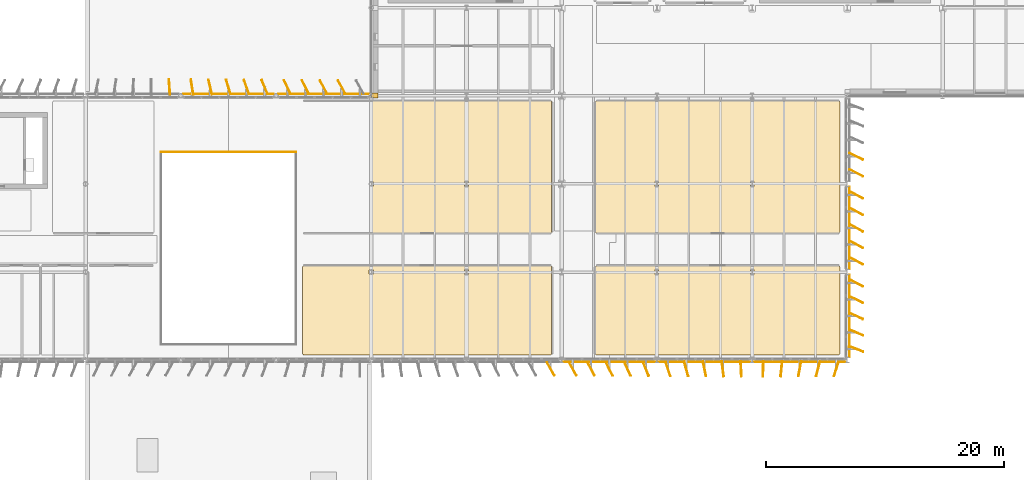
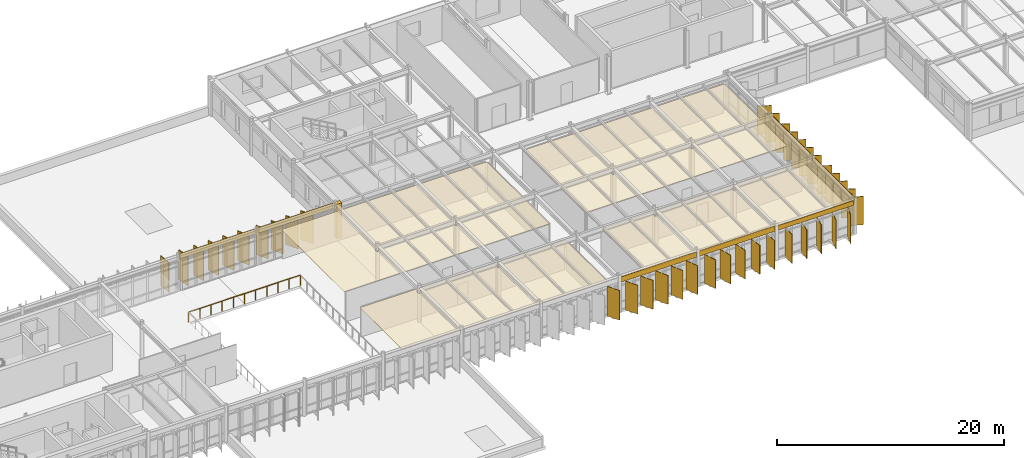
# One storey, part 51 of 56: 50 coverings, 1 railing.
"""IFC4 building model written with IfcOpenShell, lengths in metres."""

from ifc_helpers import new_model, si_unit, direction, frame, frame_2d, origin, origin_2d, place, context, subcontext, project, spatial, polyline, rectangle, circle, outline, extrude, material, layer, layer_set, type_object, element, save


model = new_model("IFC4")

# Units and contexts
model_context = context("Model", 3, precision=1e-05, world=origin(), true_north=direction((0.0, 1.0)))
body_context = subcontext(model_context, "Body", "Model", "MODEL_VIEW")
ifc_project = project(units=[si_unit("LENGTHUNIT", "METRE"), si_unit("AREAUNIT", "SQUARE_METRE"), si_unit("VOLUMEUNIT", "CUBIC_METRE"), si_unit("PLANEANGLEUNIT", "RADIAN"), si_unit("MASSUNIT", "GRAM", prefix="KILO")], contexts=[model_context])

# Site, building, storey
site_placement = place(None, origin())
site = spatial("IfcSite", under=ifc_project, at=site_placement, CompositionType="ELEMENT")
building_placement = place(site_placement, origin())
building = spatial("IfcBuilding", under=site, at=building_placement, Name="Valkorina Park Police Headquarters", CompositionType="ELEMENT")
storey_placement = place(building_placement, frame((0.0, 0.0, 14.10009765625)))
storey = spatial("IfcBuildingStorey", under=building, at=storey_placement, Name="L04", CompositionType="ELEMENT", Elevation=14.10009765625)

# Coverings
ifc_material_1 = material(Name="Acoustic mineral board")
ifc_layer_1 = layer(ifc_material_1, 0.02490234375)
ifc_layer_set_1 = layer_set([ifc_layer_1], Name="Acoustic mineral board")
covering_type_1 = type_object("IfcCoveringType", Name="COV-CEILING-ACOUST", PredefinedType="CEILING", material=ifc_layer_set_1)
covering_1_placement = place(storey_placement, frame((0.0, 0.0, 3.179931640625)))
element("IfcCovering", 1, at=covering_1_placement, inside=storey, type_object=covering_type_1, Name="East Bridge Analytical Investigation Suite Acoustic Suspended Ceiling", PredefinedType="CEILING", context=body_context, shape_type="SweptSolid", body=[
    extrude(outline(polyline([(95.95849609375, 37.50439453125), (95.959716796875, 37.51220703125), (95.9599609375, 37.52001953125), (95.9599609375, 44.830078125), (95.959716796875, 44.837890625), (95.95849609375, 44.845703125), (95.95654296875, 44.853271484375), (95.953857421875, 44.860595703125), (95.95068359375, 44.86767578125), (95.946533203125, 44.87451171875), (95.94189453125, 44.880859375), (95.9365234375, 44.88671875), (95.930908203125, 44.891845703125), (95.92431640625, 44.896484375), (95.917724609375, 44.900634765625), (95.91064453125, 44.90380859375), (95.9033203125, 44.906494140625), (95.8955078125, 44.908447265625), (95.8876953125, 44.90966796875), (95.8798828125, 44.909912109375), (75.1201171875, 44.909912109375), (75.1123046875, 44.90966796875), (75.1044921875, 44.908447265625), (75.0966796875, 44.906494140625), (75.08935546875, 44.90380859375), (75.082275390625, 44.900634765625), (75.07568359375, 44.896484375), (75.069091796875, 44.891845703125), (75.0634765625, 44.88671875), (75.05810546875, 44.880859375), (75.053466796875, 44.87451171875), (75.04931640625, 44.86767578125), (75.046142578125, 44.860595703125), (75.04345703125, 44.853271484375), (75.04150390625, 44.845703125), (75.040283203125, 44.837890625), (75.0400390625, 44.830078125), (75.0400390625, 37.52001953125), (75.040283203125, 37.51220703125), (75.04150390625, 37.50439453125), (75.04345703125, 37.496826171875), (75.046142578125, 37.489501953125), (75.04931640625, 37.482421875), (75.053466796875, 37.4755859375), (75.05810546875, 37.46923828125), (75.0634765625, 37.46337890625), (75.069091796875, 37.458251953125), (75.07568359375, 37.45361328125), (75.082275390625, 37.449462890625), (75.08935546875, 37.446044921875), (75.0966796875, 37.443359375), (75.1044921875, 37.44140625), (75.1123046875, 37.4404296875), (75.1201171875, 37.43994140625), (95.8798828125, 37.43994140625), (95.8876953125, 37.4404296875), (95.8955078125, 37.44140625), (95.9033203125, 37.443359375), (95.91064453125, 37.446044921875), (95.917724609375, 37.449462890625), (95.92431640625, 37.45361328125), (95.930908203125, 37.458251953125), (95.9365234375, 37.46337890625), (95.94189453125, 37.46923828125), (95.946533203125, 37.4755859375), (95.95068359375, 37.482421875), (95.953857421875, 37.489501953125), (95.95654296875, 37.496826171875), (95.95849609375, 37.50439453125)]), holes=[polyline([(88.64990234375, 44.625), (88.949951171875, 44.625), (88.949951171875, 44.175048828125), (88.64990234375, 44.175048828125), (88.64990234375, 44.625)]), polyline([(80.977783203125, 44.577880859375), (80.977783203125, 44.22216796875), (80.622314453125, 44.22216796875), (80.622314453125, 44.577880859375), (80.977783203125, 44.577880859375)])]), origin(), (0.0, 0.0, 1.0), 0.02490234375),
])
covering_2_placement = place(storey_placement, frame((0.0, 0.0, 3.179931640625)))
element("IfcCovering", 2, at=covering_2_placement, inside=storey, type_object=covering_type_1, Name="Missing Persons Taskforce Office Acoustic Suspended Ceiling", PredefinedType="CEILING", context=body_context, shape_type="SweptSolid", body=[
    extrude(outline(polyline([(95.95849609375, 47.75439453125), (95.959716796875, 47.76220703125), (95.9599609375, 47.77001953125), (95.9599609375, 58.679931640625), (95.959716796875, 58.687744140625), (95.95849609375, 58.695556640625), (95.95654296875, 58.703125), (95.953857421875, 58.710693359375), (95.95068359375, 58.7177734375), (95.946533203125, 58.724365234375), (95.94189453125, 58.730712890625), (95.9365234375, 58.736572265625), (95.930908203125, 58.74169921875), (95.92431640625, 58.74658203125), (95.917724609375, 58.75048828125), (95.91064453125, 58.75390625), (95.9033203125, 58.756591796875), (95.8955078125, 58.758544921875), (95.8876953125, 58.759521484375), (95.8798828125, 58.760009765625), (75.1201171875, 58.760009765625), (75.1123046875, 58.759521484375), (75.1044921875, 58.758544921875), (75.0966796875, 58.756591796875), (75.08935546875, 58.75390625), (75.082275390625, 58.75048828125), (75.07568359375, 58.74658203125), (75.069091796875, 58.74169921875), (75.0634765625, 58.736572265625), (75.05810546875, 58.730712890625), (75.053466796875, 58.724365234375), (75.04931640625, 58.7177734375), (75.046142578125, 58.710693359375), (75.04345703125, 58.703125), (75.04150390625, 58.695556640625), (75.040283203125, 58.687744140625), (75.0400390625, 58.679931640625), (75.0400390625, 47.77001953125), (75.040283203125, 47.76220703125), (75.04150390625, 47.75439453125), (75.04345703125, 47.746826171875), (75.046142578125, 47.739501953125), (75.04931640625, 47.732421875), (75.053466796875, 47.7255859375), (75.05810546875, 47.71923828125), (75.0634765625, 47.71337890625), (75.069091796875, 47.708251953125), (75.07568359375, 47.70361328125), (75.082275390625, 47.699462890625), (75.08935546875, 47.696044921875), (75.0966796875, 47.693359375), (75.1044921875, 47.69140625), (75.1123046875, 47.6904296875), (75.1201171875, 47.68994140625), (95.8798828125, 47.68994140625), (95.8876953125, 47.6904296875), (95.8955078125, 47.69140625), (95.9033203125, 47.693359375), (95.91064453125, 47.696044921875), (95.917724609375, 47.699462890625), (95.92431640625, 47.70361328125), (95.930908203125, 47.708251953125), (95.9365234375, 47.71337890625), (95.94189453125, 47.71923828125), (95.946533203125, 47.7255859375), (95.95068359375, 47.732421875), (95.953857421875, 47.739501953125), (95.95654296875, 47.746826171875), (95.95849609375, 47.75439453125)]), holes=[polyline([(88.949951171875, 52.02490234375), (88.949951171875, 51.574951171875), (88.64990234375, 51.574951171875), (88.64990234375, 52.02490234375), (88.949951171875, 52.02490234375)]), polyline([(80.977783203125, 51.977783203125), (80.977783203125, 51.622314453125), (80.622314453125, 51.622314453125), (80.622314453125, 51.977783203125), (80.977783203125, 51.977783203125)])]), origin(), (0.0, 0.0, 1.0), 0.02490234375),
])
covering_3_placement = place(storey_placement, frame((0.0, 0.0, 3.094970703125)))
element("IfcCovering", 3, at=covering_3_placement, inside=storey, type_object=covering_type_1, Name="Forensic Liaison and Exhibit Handoff Office Acoustic Suspended Ceiling", PredefinedType="CEILING", context=body_context, shape_type="SweptSolid", body=[
    extrude(outline(polyline([(120.158447265625, 37.50439453125), (120.15966796875, 37.51220703125), (120.159912109375, 37.52001953125), (120.159912109375, 44.830078125), (120.15966796875, 44.837890625), (120.158447265625, 44.845703125), (120.156494140625, 44.853271484375), (120.15380859375, 44.860595703125), (120.150634765625, 44.86767578125), (120.146484375, 44.87451171875), (120.141845703125, 44.880859375), (120.13671875, 44.88671875), (120.130859375, 44.891845703125), (120.12451171875, 44.896484375), (120.11767578125, 44.900634765625), (120.110595703125, 44.90380859375), (120.103271484375, 44.906494140625), (120.095703125, 44.908447265625), (120.087890625, 44.90966796875), (120.080078125, 44.909912109375), (99.719970703125, 44.909912109375), (99.712158203125, 44.90966796875), (99.704345703125, 44.908447265625), (99.69677734375, 44.906494140625), (99.689453125, 44.90380859375), (99.682373046875, 44.900634765625), (99.675537109375, 44.896484375), (99.669189453125, 44.891845703125), (99.663330078125, 44.88671875), (99.658203125, 44.880859375), (99.653564453125, 44.87451171875), (99.6494140625, 44.86767578125), (99.64599609375, 44.860595703125), (99.643310546875, 44.853271484375), (99.6416015625, 44.845703125), (99.640380859375, 44.837890625), (99.639892578125, 44.830078125), (99.639892578125, 37.52001953125), (99.640380859375, 37.51220703125), (99.6416015625, 37.50439453125), (99.643310546875, 37.496826171875), (99.64599609375, 37.489501953125), (99.6494140625, 37.482421875), (99.653564453125, 37.4755859375), (99.658203125, 37.46923828125), (99.663330078125, 37.46337890625), (99.669189453125, 37.458251953125), (99.675537109375, 37.45361328125), (99.682373046875, 37.449462890625), (99.689453125, 37.446044921875), (99.69677734375, 37.443359375), (99.704345703125, 37.44140625), (99.712158203125, 37.4404296875), (99.719970703125, 37.43994140625), (120.080078125, 37.43994140625), (120.087890625, 37.4404296875), (120.095703125, 37.44140625), (120.103271484375, 37.443359375), (120.110595703125, 37.446044921875), (120.11767578125, 37.449462890625), (120.12451171875, 37.45361328125), (120.130859375, 37.458251953125), (120.13671875, 37.46337890625), (120.141845703125, 37.46923828125), (120.146484375, 37.4755859375), (120.150634765625, 37.482421875), (120.15380859375, 37.489501953125), (120.156494140625, 37.496826171875), (120.158447265625, 37.50439453125)]), holes=[polyline([(112.949951171875, 44.625), (112.949951171875, 44.175048828125), (112.64990234375, 44.175048828125), (112.64990234375, 44.625), (112.949951171875, 44.625)]), polyline([(104.949951171875, 44.625), (104.949951171875, 44.175048828125), (104.64990234375, 44.175048828125), (104.64990234375, 44.625), (104.949951171875, 44.625)])]), origin(), (0.0, 0.0, 1.0), 0.02490234375),
])
covering_4_placement = place(storey_placement, frame((0.0, 0.0, 3.094970703125)))
element("IfcCovering", 4, at=covering_4_placement, inside=storey, type_object=covering_type_1, Name="Digital Case Preparation Room Acoustic Suspended Ceiling", PredefinedType="CEILING", context=body_context, shape_type="SweptSolid", body=[
    extrude(outline(polyline([(120.158447265625, 47.75439453125), (120.15966796875, 47.76220703125), (120.159912109375, 47.77001953125), (120.159912109375, 58.679931640625), (120.15966796875, 58.687744140625), (120.158447265625, 58.695556640625), (120.156494140625, 58.703125), (120.15380859375, 58.710693359375), (120.150634765625, 58.7177734375), (120.146484375, 58.724365234375), (120.141845703125, 58.730712890625), (120.13671875, 58.736572265625), (120.130859375, 58.74169921875), (120.12451171875, 58.74658203125), (120.11767578125, 58.75048828125), (120.110595703125, 58.75390625), (120.103271484375, 58.756591796875), (120.095703125, 58.758544921875), (120.087890625, 58.759521484375), (120.080078125, 58.760009765625), (99.719970703125, 58.760009765625), (99.712158203125, 58.759521484375), (99.704345703125, 58.758544921875), (99.69677734375, 58.756591796875), (99.689453125, 58.75390625), (99.682373046875, 58.75048828125), (99.675537109375, 58.74658203125), (99.669189453125, 58.74169921875), (99.663330078125, 58.736572265625), (99.658203125, 58.730712890625), (99.653564453125, 58.724365234375), (99.6494140625, 58.7177734375), (99.64599609375, 58.710693359375), (99.643310546875, 58.703125), (99.6416015625, 58.695556640625), (99.640380859375, 58.687744140625), (99.639892578125, 58.679931640625), (99.639892578125, 47.77001953125), (99.640380859375, 47.76220703125), (99.6416015625, 47.75439453125), (99.643310546875, 47.746826171875), (99.64599609375, 47.739501953125), (99.6494140625, 47.732421875), (99.653564453125, 47.7255859375), (99.658203125, 47.71923828125), (99.663330078125, 47.71337890625), (99.669189453125, 47.708251953125), (99.675537109375, 47.70361328125), (99.682373046875, 47.699462890625), (99.689453125, 47.696044921875), (99.69677734375, 47.693359375), (99.704345703125, 47.69140625), (99.712158203125, 47.6904296875), (99.719970703125, 47.68994140625), (120.080078125, 47.68994140625), (120.087890625, 47.6904296875), (120.095703125, 47.69140625), (120.103271484375, 47.693359375), (120.110595703125, 47.696044921875), (120.11767578125, 47.699462890625), (120.12451171875, 47.70361328125), (120.130859375, 47.708251953125), (120.13671875, 47.71337890625), (120.141845703125, 47.71923828125), (120.146484375, 47.7255859375), (120.150634765625, 47.732421875), (120.15380859375, 47.739501953125), (120.156494140625, 47.746826171875), (120.158447265625, 47.75439453125)]), holes=[polyline([(112.949951171875, 52.02490234375), (112.949951171875, 51.574951171875), (112.64990234375, 51.574951171875), (112.64990234375, 52.02490234375), (112.949951171875, 52.02490234375)]), polyline([(104.949951171875, 52.02490234375), (104.949951171875, 51.574951171875), (104.64990234375, 51.574951171875), (104.64990234375, 52.02490234375), (104.949951171875, 52.02490234375)])]), origin(), (0.0, 0.0, 1.0), 0.02490234375),
])
ifc_material_2 = material(Name="Precast concrete C40/50", Category="concrete")
ifc_layer_2 = layer(ifc_material_2, 0.044921875)
ifc_layer_set_2 = layer_set([ifc_layer_2], Name="Precast concrete C40/50")
covering_type_2 = type_object("IfcCoveringType", Name="COV-CLAD-DOLOMITE", PredefinedType="CLADDING", material=ifc_layer_set_2)
covering_5_placement = place(storey_placement, frame((64.98779296875, 59.360107421875, 3.239990234375), z_axis=(0.0, 0.0, 1.0), x_axis=(1.0, 0.0, 0.0)))
element("IfcCovering", 5, at=covering_5_placement, inside=storey, type_object=covering_type_2, Name="L04 Spandrel Beam Insulated Fascia 2225", PredefinedType="CLADDING", context=body_context, shape_type="SweptSolid", body=[
    extrude(rectangle(XDim=7.62451171875, YDim=0.044921875, at=frame_2d((3.812255859375, 0.0))), origin(), (0.0, 0.0, 1.0), 0.514892578125),
])
covering_6_placement = place(storey_placement, frame((72.98779296875, 59.360107421875, 3.179931640625), z_axis=(0.0, 0.0, 1.0), x_axis=(1.0, 0.0, 0.0)))
element("IfcCovering", 6, at=covering_6_placement, inside=storey, type_object=covering_type_2, Name="L04 Spandrel Beam Insulated Fascia 2226", PredefinedType="CLADDING", context=body_context, shape_type="SweptSolid", body=[
    extrude(rectangle(XDim=7.62451171875, YDim=0.044921875, at=frame_2d((3.812255859375, 0.0))), origin(), (0.0, 0.0, 1.0), 0.574951171875),
])
covering_7_placement = place(storey_placement, frame((81.090087890625, 59.2177734375, 0.0), z_axis=(0.0, 0.0, 1.0), x_axis=(0.0, 1.0, 0.0)))
element("IfcCovering", 7, at=covering_7_placement, inside=storey, type_object=covering_type_2, Name="L04 Exterior Joint Closure Pilaster A 2227", PredefinedType="CLADDING", context=body_context, shape_type="SweptSolid", body=[
    extrude(rectangle(XDim=0.419921875, YDim=0.52197265625, at=origin_2d()), origin(), (0.0, 0.0, 1.0), 3.739990234375),
])
for number, where, z_axis, x_axis, name in (
    (8, (120.9599609375, 51.56494140625, 3.10986328125), (0.0, 0.0, 1.0), (0.0, -1.0, 0.0), "L04 Spandrel Beam Insulated Fascia 2376"),
    (9, (120.9599609375, 44.1650390625, 3.10986328125), (0.0, 0.0, 1.0), (0.0, -1.0, 0.0), "L04 Spandrel Beam Insulated Fascia 2377"),
):
    element("IfcCovering", number, at=place(storey_placement, frame(where, z_axis=z_axis, x_axis=x_axis)), inside=storey, type_object=covering_type_2, Name=name, PredefinedType="CLADDING", context=body_context, shape_type="SweptSolid", body=[
        extrude(rectangle(XDim=6.929931640625, YDim=0.044921875, at=frame_2d((3.46484375, 0.0))), origin(), (0.0, 0.0, 1.0), 0.56005859375),
    ])
covering_8_placement = place(storey_placement, frame((120.639892578125, 36.840087890625, 3.169921875), z_axis=(0.0, 0.0, 1.0), x_axis=(-1.0, 0.0, 0.0)))
element("IfcCovering", 10, at=covering_8_placement, inside=storey, type_object=covering_type_2, Name="L04 Spandrel Beam Insulated Fascia 2378", PredefinedType="CLADDING", context=body_context, shape_type="SweptSolid", body=[
    extrude(rectangle(XDim=7.679931640625, YDim=0.044921875, at=frame_2d((3.83984375, 0.0))), origin(), (0.0, 0.0, 1.0), 0.5),
])
for number, where, z_axis, x_axis, name in (
    (11, (112.639892578125, 36.840087890625, 3.169921875), (0.0, 0.0, 1.0), (-1.0, 0.0, 0.0), "L04 Spandrel Beam Insulated Fascia 2379"),
    (12, (104.639892578125, 36.840087890625, 3.169921875), (0.0, 0.0, 1.0), (-1.0, 0.0, 0.0), "L04 Spandrel Beam Insulated Fascia 2380"),
):
    element("IfcCovering", number, at=place(storey_placement, frame(where, z_axis=z_axis, x_axis=x_axis)), inside=storey, type_object=covering_type_2, Name=name, PredefinedType="CLADDING", context=body_context, shape_type="SweptSolid", body=[
        extrude(rectangle(XDim=7.679931640625, YDim=0.044921875, at=frame_2d((3.83984375, 0.0))), origin(), (0.0, 0.0, 1.0), 0.5849609375),
    ])

# Railing
ifc_material_3 = material(Name="Stainless steel EN 1.4404", Category="steel")
railing_type = type_object("IfcRailingType", Name="RL-GUARD-INT-1100", PredefinedType="BALUSTRADE", material=ifc_material_3)
railing_placement = place(storey_placement, frame((74.47998046875, 54.47998046875, 0.0)))
element("IfcRailing", 13, at=railing_placement, inside=storey, type_object=railing_type, Name="L04 Winter Concourse Atrium Balustrade 11", PredefinedType="BALUSTRADE", context=body_context, shape_type="SweptSolid", body=[
    extrude(circle(Radius=0.02392578125, at=origin_2d()), frame((0.0, 0.0, 1.09619140625), z_axis=(-1.0, 0.0, 0.0), x_axis=(0.0, -1.0, 0.0)), (0.0, 0.0, 1.0), 11.35986328125),
    extrude(circle(Radius=0.02099609375, at=origin_2d()), origin(), (0.0, 0.0, 1.0), 1.072021484375),
    extrude(circle(Radius=0.02099609375, at=origin_2d()), frame((-1.135986328125, 0.0, 0.0)), (0.0, 0.0, 1.0), 1.072021484375),
    extrude(circle(Radius=0.02099609375, at=origin_2d()), frame((-2.27197265625, 0.0, 0.0)), (0.0, 0.0, 1.0), 1.072021484375),
    extrude(circle(Radius=0.02099609375, at=origin_2d()), frame((-3.407958984375, 0.0, 0.0)), (0.0, 0.0, 1.0), 1.072021484375),
    extrude(circle(Radius=0.02099609375, at=origin_2d()), frame((-4.5439453125, 0.0, 0.0)), (0.0, 0.0, 1.0), 1.072021484375),
    extrude(circle(Radius=0.02099609375, at=origin_2d()), frame((-5.679931640625, 0.0, 0.0)), (0.0, 0.0, 1.0), 1.072021484375),
    extrude(circle(Radius=0.02099609375, at=origin_2d()), frame((-6.81591796875, 0.0, 0.0)), (0.0, 0.0, 1.0), 1.072021484375),
    extrude(circle(Radius=0.02099609375, at=origin_2d()), frame((-7.951904296875, 0.0, 0.0)), (0.0, 0.0, 1.0), 1.072021484375),
    extrude(circle(Radius=0.02099609375, at=origin_2d()), frame((-9.087890625, 0.0, 0.0)), (0.0, 0.0, 1.0), 1.072021484375),
    extrude(circle(Radius=0.02099609375, at=origin_2d()), frame((-10.223876953125, 0.0, 0.0)), (0.0, 0.0, 1.0), 1.072021484375),
    extrude(circle(Radius=0.02099609375, at=origin_2d()), frame((-11.35986328125, 0.0, 0.0)), (0.0, 0.0, 1.0), 1.072021484375),
])

# Coverings
ifc_material_4 = material(Name="Polychrome anodized aluminium - Baltic Amber", Category="aluminium")
ifc_layer_3 = layer(ifc_material_4, 0.06494140625)
ifc_layer_set_3 = layer_set([ifc_layer_3], Name="Polychrome anodized aluminium - Baltic Amber")
covering_type_3 = type_object("IfcCoveringType", Name="SHD-LOUVRE-AMBER", PredefinedType="CLADDING", material=ifc_layer_set_3)
covering_9_placement = place(storey_placement, frame((68.800048828125, 59.93994140625, 0.0400390625), z_axis=(0.0, 0.0, 1.0), x_axis=(-0.285688367405, 0.958322574465, 0.0)))
element("IfcCovering", 14, at=covering_9_placement, inside=storey, type_object=covering_type_3, Name="V5 Polychrome Pivoting Louvre 0044", PredefinedType="CLADDING", context=body_context, shape_type="SweptSolid", body=[
    extrude(rectangle(XDim=1.280029296875, YDim=0.06494140625, at=origin_2d()), origin(), (0.0, 0.0, 1.0), 3.179931640625),
])
covering_10_placement = place(storey_placement, frame((75.275146484375, 59.93994140625, 0.039794921875), z_axis=(0.0, 0.0, 1.0), x_axis=(-0.458339340618, 0.888777277411, 0.0)))
element("IfcCovering", 15, at=covering_10_placement, inside=storey, type_object=covering_type_3, Name="V5 Polychrome Pivoting Louvre 0048", PredefinedType="CLADDING", context=body_context, shape_type="SweptSolid", body=[
    extrude(rectangle(XDim=1.280029296875, YDim=0.06494140625, at=origin_2d()), origin(), (0.0, 0.0, 1.0), 3.1201171875),
])
for number, where, z_axis, x_axis, name in (
    (16, (121.5400390625, 52.72802734375, 0.0400390625), (0.0, 0.0, 1.0), (0.889256761832, -0.457408364087, 0.0), "V5 Polychrome Pivoting Louvre 0056"),
    (17, (121.5400390625, 46.714111328125, 0.0400390625), (0.0, 0.0, 1.0), (0.875801708379, -0.482671075992, 0.0), "V5 Polychrome Pivoting Louvre 0060"),
    (18, (121.5400390625, 40.699951171875, 0.0400390625), (0.0, 0.0, 1.0), (0.908362259055, -0.418184177516, 0.0), "V5 Polychrome Pivoting Louvre 0064"),
):
    element("IfcCovering", number, at=place(storey_placement, frame(where, z_axis=z_axis, x_axis=x_axis)), inside=storey, type_object=covering_type_3, Name=name, PredefinedType="CLADDING", context=body_context, shape_type="SweptSolid", body=[
        extrude(rectangle(XDim=1.280029296875, YDim=0.06494140625, at=origin_2d()), origin(), (0.0, 0.0, 1.0), 3.050048828125),
    ])
for number, where, z_axis, x_axis, name in (
    (19, (118.3359375, 36.260009765625, 0.0400390625), (0.0, 0.0, 1.0), (-0.244122802168, -0.969744325821, 0.0), "V5 Polychrome Pivoting Louvre 0068"),
    (20, (111.8720703125, 36.260009765625, 0.0400390625), (0.0, 0.0, 1.0), (0.053033118368, -0.998592754007, 0.0), "V5 Polychrome Pivoting Louvre 0072"),
    (21, (105.72802734375, 36.260009765625, 0.0400390625), (0.0, 0.0, 1.0), (0.316145823974, -0.948710608133, 0.0), "V5 Polychrome Pivoting Louvre 0076"),
    (22, (99.263916015625, 36.260009765625, 0.0400390625), (0.0, 0.0, 1.0), (0.469009188174, -0.883193286551, 0.0), "V5 Polychrome Pivoting Louvre 0080"),
):
    element("IfcCovering", number, at=place(storey_placement, frame(where, z_axis=z_axis, x_axis=x_axis)), inside=storey, type_object=covering_type_3, Name=name, PredefinedType="CLADDING", context=body_context, shape_type="SweptSolid", body=[
        extrude(rectangle(XDim=1.280029296875, YDim=0.06494140625, at=origin_2d()), origin(), (0.0, 0.0, 1.0), 3.110107421875),
    ])
ifc_material_5 = material(Name="Polychrome anodized aluminium - Riga Ochre", Category="aluminium")
ifc_layer_4 = layer(ifc_material_5, 0.06494140625)
ifc_layer_set_4 = layer_set([ifc_layer_4], Name="Polychrome anodized aluminium - Riga Ochre")
covering_type_4 = type_object("IfcCoveringType", Name="SHD-LOUVRE-OCHRE", PredefinedType="CLADDING", material=ifc_layer_set_4)
for number, where, z_axis, x_axis, name in (
    (23, (65.750244140625, 59.93994140625, 0.0400390625), (0.0, 0.0, 1.0), (-0.158502730052, 0.987358539015, 0.0), "V5 Polychrome Pivoting Louvre 0042"),
    (24, (71.849853515625, 59.93994140625, 0.0400390625), (0.0, 0.0, 1.0), (-0.385906042324, 0.922538089456, 0.0), "V5 Polychrome Pivoting Louvre 0046"),
):
    element("IfcCovering", number, at=place(storey_placement, frame(where, z_axis=z_axis, x_axis=x_axis)), inside=storey, type_object=covering_type_4, Name=name, PredefinedType="CLADDING", context=body_context, shape_type="SweptSolid", body=[
        extrude(rectangle(XDim=1.280029296875, YDim=0.06494140625, at=origin_2d()), origin(), (0.0, 0.0, 1.0), 3.179931640625),
    ])
covering_11_placement = place(storey_placement, frame((78.324951171875, 59.93994140625, 0.039794921875), z_axis=(0.0, 0.0, 1.0), x_axis=(-0.484046186062, 0.875042450261, 0.0)))
element("IfcCovering", 25, at=covering_11_placement, inside=storey, type_object=covering_type_4, Name="V5 Polychrome Pivoting Louvre 0050", PredefinedType="CLADDING", context=body_context, shape_type="SweptSolid", body=[
    extrude(rectangle(XDim=1.280029296875, YDim=0.06494140625, at=origin_2d()), origin(), (0.0, 0.0, 1.0), 3.1201171875),
])
for number, where, z_axis, x_axis, name in (
    (26, (121.5400390625, 49.486083984375, 0.0400390625), (0.0, 0.0, 1.0), (0.876054314299, -0.482212441148, 0.0), "V5 Polychrome Pivoting Louvre 0058"),
    (27, (121.5400390625, 43.471923828125, 0.0400390625), (0.0, 0.0, 1.0), (0.888457079624, -0.458959712465, 0.0), "V5 Polychrome Pivoting Louvre 0062"),
    (28, (121.5400390625, 37.927978515625, 0.0400390625), (0.0, 0.0, 1.0), (0.933204632634, -0.359345396006, 0.0), "V5 Polychrome Pivoting Louvre 0066"),
):
    element("IfcCovering", number, at=place(storey_placement, frame(where, z_axis=z_axis, x_axis=x_axis)), inside=storey, type_object=covering_type_4, Name=name, PredefinedType="CLADDING", context=body_context, shape_type="SweptSolid", body=[
        extrude(rectangle(XDim=1.280029296875, YDim=0.06494140625, at=origin_2d()), origin(), (0.0, 0.0, 1.0), 3.050048828125),
    ])
for number, where, z_axis, x_axis, name in (
    (29, (115.263916015625, 36.260009765625, 0.0400390625), (0.0, 0.0, 1.0), (-0.108866874852, -0.994056338222, 0.0), "V5 Polychrome Pivoting Louvre 0070"),
    (30, (108.800048828125, 36.260009765625, 0.0400390625), (0.0, 0.0, 1.0), (0.194405557233, -0.980921240119, 0.0), "V5 Polychrome Pivoting Louvre 0074"),
    (31, (102.3359375, 36.260009765625, 0.0400390625), (0.0, 0.0, 1.0), (0.415804660306, -0.909453948514, 0.0), "V5 Polychrome Pivoting Louvre 0078"),
):
    element("IfcCovering", number, at=place(storey_placement, frame(where, z_axis=z_axis, x_axis=x_axis)), inside=storey, type_object=covering_type_4, Name=name, PredefinedType="CLADDING", context=body_context, shape_type="SweptSolid", body=[
        extrude(rectangle(XDim=1.280029296875, YDim=0.06494140625, at=origin_2d()), origin(), (0.0, 0.0, 1.0), 3.110107421875),
    ])
covering_12_placement = place(storey_placement, frame((95.8720703125, 36.260009765625, 0.0400390625), z_axis=(0.0, 0.0, 1.0), x_axis=(0.484198902407, -0.874957954937, 0.0)))
element("IfcCovering", 32, at=covering_12_placement, inside=storey, type_object=covering_type_4, Name="V5 Polychrome Pivoting Louvre 0082", PredefinedType="CLADDING", context=body_context, shape_type="SweptSolid", body=[
    extrude(rectangle(XDim=1.280029296875, YDim=0.06494140625, at=origin_2d()), origin(), (0.0, 0.0, 1.0), 3.195068359375),
])
ifc_material_6 = material(Name="Polychrome anodized aluminium - Courland Slate Blue", Category="masonry")
ifc_layer_5 = layer(ifc_material_6, 0.06494140625)
ifc_layer_set_5 = layer_set([ifc_layer_5], Name="Polychrome anodized aluminium - Courland Slate Blue")
covering_type_5 = type_object("IfcCoveringType", Name="SHD-LOUVRE-SLATE", PredefinedType="CLADDING", material=ifc_layer_set_5)
covering_13_placement = place(storey_placement, frame((67.275146484375, 59.93994140625, 0.0400390625), z_axis=(0.0, 0.0, 1.0), x_axis=(-0.224951054344, 0.974370064785, 0.0)))
element("IfcCovering", 33, at=covering_13_placement, inside=storey, type_object=covering_type_5, Name="V5 Polychrome Pivoting Louvre 0043", PredefinedType="CLADDING", context=body_context, shape_type="SweptSolid", body=[
    extrude(rectangle(XDim=1.280029296875, YDim=0.06494140625, at=origin_2d()), origin(), (0.0, 0.0, 1.0), 3.179931640625),
])
covering_14_placement = place(storey_placement, frame((73.750244140625, 59.93994140625, 0.039794921875), z_axis=(0.0, 0.0, 1.0), x_axis=(-0.431770923546, 0.901983297839, 0.0)))
element("IfcCovering", 34, at=covering_14_placement, inside=storey, type_object=covering_type_5, Name="V5 Polychrome Pivoting Louvre 0047", PredefinedType="CLADDING", context=body_context, shape_type="SweptSolid", body=[
    extrude(rectangle(XDim=1.280029296875, YDim=0.06494140625, at=origin_2d()), origin(), (0.0, 0.0, 1.0), 3.1201171875),
])
for number, where, z_axis, x_axis, name in (
    (35, (121.5400390625, 54.114013671875, 0.0400390625), (0.0, 0.0, 1.0), (0.898487786499, -0.438998516526, 0.0), "V5 Polychrome Pivoting Louvre 0055"),
    (36, (121.5400390625, 48.10009765625, 0.0400390625), (0.0, 0.0, 1.0), (0.874619707139, -0.484809620246, 0.0), "V5 Polychrome Pivoting Louvre 0059"),
    (37, (121.5400390625, 42.0859375, 0.0400390625), (0.0, 0.0, 1.0), (0.897566380225, -0.440879340739, 0.0), "V5 Polychrome Pivoting Louvre 0063"),
):
    element("IfcCovering", number, at=place(storey_placement, frame(where, z_axis=z_axis, x_axis=x_axis)), inside=storey, type_object=covering_type_5, Name=name, PredefinedType="CLADDING", context=body_context, shape_type="SweptSolid", body=[
        extrude(rectangle(XDim=1.280029296875, YDim=0.06494140625, at=origin_2d()), origin(), (0.0, 0.0, 1.0), 3.050048828125),
    ])
for number, where, z_axis, x_axis, name in (
    (38, (119.8720703125, 36.260009765625, 0.0400390625), (0.0, 0.0, 1.0), (-0.303367903708, -0.952873504196, 0.0), "V5 Polychrome Pivoting Louvre 0067"),
    (39, (113.72802734375, 36.260009765625, 0.0400390625), (0.0, 0.0, 1.0), (-0.035946037002, -0.999353732381, 0.0), "V5 Polychrome Pivoting Louvre 0071"),
    (40, (107.263916015625, 36.260009765625, 0.0400390625), (0.0, 0.0, 1.0), (0.258481857621, -0.96601611233, 0.0), "V5 Polychrome Pivoting Louvre 0075"),
    (41, (100.800048828125, 36.260009765625, 0.0400390625), (0.0, 0.0, 1.0), (0.446978620671, -0.894544639838, 0.0), "V5 Polychrome Pivoting Louvre 0079"),
):
    element("IfcCovering", number, at=place(storey_placement, frame(where, z_axis=z_axis, x_axis=x_axis)), inside=storey, type_object=covering_type_5, Name=name, PredefinedType="CLADDING", context=body_context, shape_type="SweptSolid", body=[
        extrude(rectangle(XDim=1.280029296875, YDim=0.06494140625, at=origin_2d()), origin(), (0.0, 0.0, 1.0), 3.110107421875),
    ])
ifc_material_7 = material(Name="Polychrome anodized aluminium - Pine Verdigris", Category="aluminium")
ifc_layer_6 = layer(ifc_material_7, 0.06494140625)
ifc_layer_set_6 = layer_set([ifc_layer_6], Name="Polychrome anodized aluminium - Pine Verdigris")
covering_type_6 = type_object("IfcCoveringType", Name="SHD-LOUVRE-VERDIGRIS", PredefinedType="CLADDING", material=ifc_layer_set_6)
covering_15_placement = place(storey_placement, frame((63.849853515625, 59.93994140625, 0.0400390625), z_axis=(0.0, 0.0, 1.0), x_axis=(-0.070278787473, 0.997527389113, 0.0)))
element("IfcCovering", 42, at=covering_15_placement, inside=storey, type_object=covering_type_6, Name="V5 Polychrome Pivoting Louvre 0041", PredefinedType="CLADDING", context=body_context, shape_type="SweptSolid", body=[
    extrude(rectangle(XDim=1.280029296875, YDim=0.06494140625, at=origin_2d()), origin(), (0.0, 0.0, 1.0), 3.195068359375),
])
covering_16_placement = place(storey_placement, frame((70.324951171875, 59.93994140625, 0.0400390625), z_axis=(0.0, 0.0, 1.0), x_axis=(-0.339723022369, 0.940525527603, 0.0)))
element("IfcCovering", 43, at=covering_16_placement, inside=storey, type_object=covering_type_6, Name="V5 Polychrome Pivoting Louvre 0045", PredefinedType="CLADDING", context=body_context, shape_type="SweptSolid", body=[
    extrude(rectangle(XDim=1.280029296875, YDim=0.06494140625, at=origin_2d()), origin(), (0.0, 0.0, 1.0), 3.179931640625),
])
covering_17_placement = place(storey_placement, frame((76.800048828125, 59.93994140625, 0.039794921875), z_axis=(0.0, 0.0, 1.0), x_axis=(-0.475931235364, 0.87948249511, 0.0)))
element("IfcCovering", 44, at=covering_17_placement, inside=storey, type_object=covering_type_6, Name="V5 Polychrome Pivoting Louvre 0049", PredefinedType="CLADDING", context=body_context, shape_type="SweptSolid", body=[
    extrude(rectangle(XDim=1.280029296875, YDim=0.06494140625, at=origin_2d()), origin(), (0.0, 0.0, 1.0), 3.1201171875),
])
for number, where, z_axis, x_axis, name in (
    (45, (121.5400390625, 50.8720703125, 0.0400390625), (0.0, 0.0, 1.0), (0.880063298291, -0.474856389871, 0.0), "V5 Polychrome Pivoting Louvre 0057"),
    (46, (121.5400390625, 45.327880859375, 0.0400390625), (0.0, 0.0, 1.0), (0.879648572867, -0.47562420907, 0.0), "V5 Polychrome Pivoting Louvre 0061"),
    (47, (121.5400390625, 39.31396484375, 0.0400390625), (0.0, 0.0, 1.0), (0.920436643986, -0.390891780942, 0.0), "V5 Polychrome Pivoting Louvre 0065"),
):
    element("IfcCovering", number, at=place(storey_placement, frame(where, z_axis=z_axis, x_axis=x_axis)), inside=storey, type_object=covering_type_6, Name=name, PredefinedType="CLADDING", context=body_context, shape_type="SweptSolid", body=[
        extrude(rectangle(XDim=1.280029296875, YDim=0.06494140625, at=origin_2d()), origin(), (0.0, 0.0, 1.0), 3.050048828125),
    ])
for number, where, z_axis, x_axis, name in (
    (48, (116.800048828125, 36.260009765625, 0.0400390625), (0.0, 0.0, 1.0), (-0.178802215116, -0.983885037934, 0.0), "V5 Polychrome Pivoting Louvre 0069"),
    (49, (110.3359375, 36.260009765625, 0.0400390625), (0.0, 0.0, 1.0), (0.125333233564, -0.992114701314, 0.0), "V5 Polychrome Pivoting Louvre 0073"),
    (50, (103.8720703125, 36.260009765625, 0.0400390625), (0.0, 0.0, 1.0), (0.375739082333, -0.92672549442, 0.0), "V5 Polychrome Pivoting Louvre 0077"),
    (51, (97.72802734375, 36.260009765625, 0.0400390625), (0.0, 0.0, 1.0), (0.481447756021, -0.876474790409, 0.0), "V5 Polychrome Pivoting Louvre 0081"),
):
    element("IfcCovering", number, at=place(storey_placement, frame(where, z_axis=z_axis, x_axis=x_axis)), inside=storey, type_object=covering_type_6, Name=name, PredefinedType="CLADDING", context=body_context, shape_type="SweptSolid", body=[
        extrude(rectangle(XDim=1.280029296875, YDim=0.06494140625, at=origin_2d()), origin(), (0.0, 0.0, 1.0), 3.110107421875),
    ])

save(model, "model.ifc")
